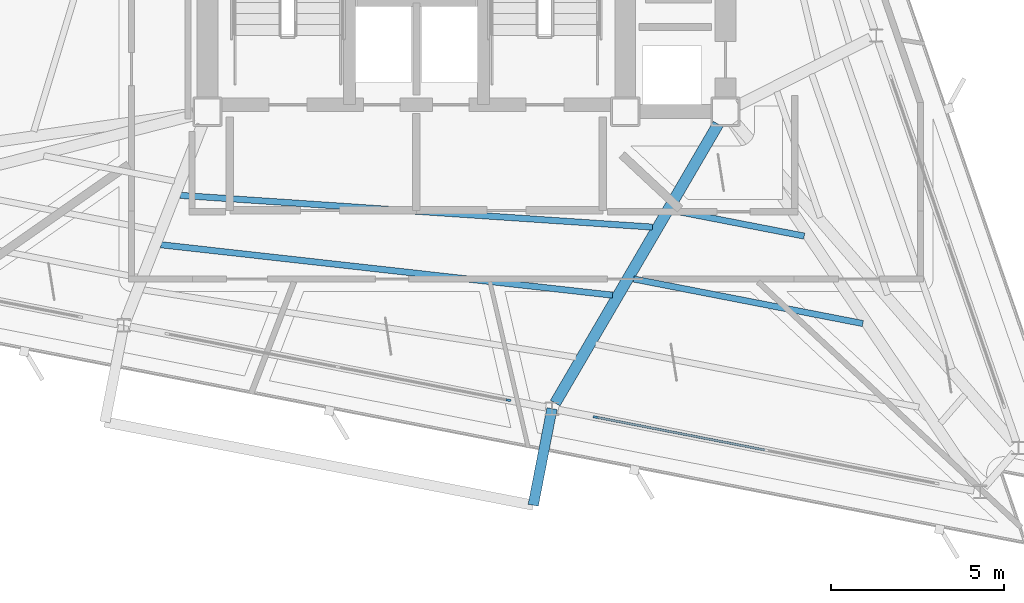
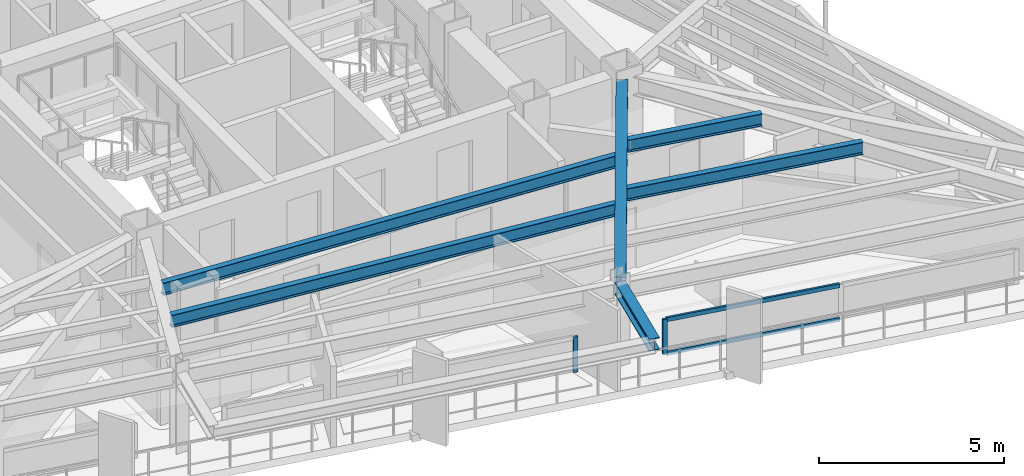
# One storey, part 3 of 14: 6 beams, 4 members, 2 elements without a shape of their own.
"""IFC4 building model written with IfcOpenShell, lengths in metres."""

import ifcopenshell
import ifcopenshell.guid

model = None  # the IFC model being written
_history = None  # IfcOwnerHistory: only IFC2X3 demands one
_inside = {}  # id of a spatial element -> (the spatial element, [elements in it])
_under = {}  # id of a project, library or spatial element -> (it, [spatial elements below it])
_declared = {}  # id of a project -> (the project, [libraries it declares])
_typed = {}  # id of a type object -> (the type object, [elements of that type])
_made_of = {}  # id of a material, layer set ... -> (it, [elements and type objects made of it])


def new_model(schema):
    """Start an empty IFC model of exactly this schema.

    Asked for "IFC4X3", IfcOpenShell would pick the latest addendum, in which some entities
    have other attributes; the version numbers below select the first issue.
    IFC2X3 requires an IfcOwnerHistory on every rooted entity: one is made here for all.
    """
    global model, _history
    if schema == "IFC4X3":
        model = ifcopenshell.file(schema_version=(4, 3, 0, 0))
    else:
        model = ifcopenshell.file(schema=schema)
    _inside.clear()
    _under.clear()
    _declared.clear()
    _typed.clear()
    _made_of.clear()
    _history = None
    if model.schema == "IFC2X3":
        org = make("IfcOrganization", Name="unknown")
        user = make(
            "IfcPersonAndOrganization",
            ThePerson=make("IfcPerson", FamilyName="unknown"),
            TheOrganization=org,
        )
        app = make(
            "IfcApplication",
            ApplicationDeveloper=org,
            Version="unknown",
            ApplicationFullName="unknown",
            ApplicationIdentifier="unknown",
        )
        _history = make(
            "IfcOwnerHistory",
            OwningUser=user,
            OwningApplication=app,
            ChangeAction="ADDED",
            CreationDate=0,
        )
    return model


def make(cls, **values):
    """One entity of the class cls with the attributes given. An attribute that is None is left unset."""
    return model.create_entity(
        cls, **{name: value for name, value in values.items() if value is not None}
    )


def rooted(cls, **values):
    """An entity with a GlobalId (a new one), such as an element, a storey or a relation."""
    return make(cls, GlobalId=ifcopenshell.guid.new(), OwnerHistory=_history, **values)


def si_unit(unit_type, name, prefix=None):
    """IfcSIUnit, for example si_unit("LENGTHUNIT", "METRE", prefix="MILLI")."""
    return make("IfcSIUnit", UnitType=unit_type, Prefix=prefix, Name=name)


def assignment(units):
    """IfcUnitAssignment: the units of a project."""
    return None if units is None else make("IfcUnitAssignment", Units=units)


def point(xyz):
    """IfcCartesianPoint."""
    return None if xyz is None else make("IfcCartesianPoint", Coordinates=xyz)


def direction(xyz):
    """IfcDirection."""
    return None if xyz is None else make("IfcDirection", DirectionRatios=xyz)


def frame(location, z_axis=None, x_axis=None):
    """IfcAxis2Placement3D, a coordinate frame: its origin and axes. An axis left out is left unset."""
    return make(
        "IfcAxis2Placement3D",
        Location=point(location),
        Axis=direction(z_axis),
        RefDirection=direction(x_axis),
    )


def frame_2d(location, x_axis=None):
    """IfcAxis2Placement2D, a coordinate frame in the plane: its origin and x axis."""
    return make(
        "IfcAxis2Placement2D", Location=point(location), RefDirection=direction(x_axis)
    )


def origin():
    """The frame at (0, 0, 0) with its axes left unset."""
    return frame((0.0, 0.0, 0.0))


def origin_2d():
    """The frame at (0, 0) in the plane with its x axis left unset."""
    return frame_2d((0.0, 0.0))


def place(relative_to, where):
    """IfcLocalPlacement: puts the frame where relative to a parent placement (None: the world)."""
    return make(
        "IfcLocalPlacement", PlacementRelTo=relative_to, RelativePlacement=where
    )


def context(
    kind, dimensions, precision=None, world=None, true_north=None, identifier=None
):
    """IfcGeometricRepresentationContext, for example the 3D "Model" context."""
    return make(
        "IfcGeometricRepresentationContext",
        ContextIdentifier=identifier,
        ContextType=kind,
        CoordinateSpaceDimension=dimensions,
        Precision=precision,
        WorldCoordinateSystem=world,
        TrueNorth=true_north,
    )


def subcontext(parent, identifier, kind, view, scale=None):
    """IfcGeometricRepresentationSubContext, for example "Body" below "Model"."""
    return make(
        "IfcGeometricRepresentationSubContext",
        ContextIdentifier=identifier,
        ContextType=kind,
        ParentContext=parent,
        TargetScale=scale,
        TargetView=view,
    )


def project(units=None, contexts=None):
    """IfcProject with its units and contexts."""
    return rooted(
        "IfcProject",
        Name="project",
        RepresentationContexts=contexts,
        UnitsInContext=assignment(units),
    )


def spatial(cls, under=None, at=None, **own):
    """A site, building, storey or space (cls), placed at a placement, below another one or the project."""
    s = rooted(cls, ObjectPlacement=at, **own)
    if under is not None:
        _under.setdefault(under.id(), (under, []))[1].append(s)
    return s


def profile(cls, at=None, kind="AREA", **sizes):
    """A parametric profile (cls). Its sizes go by their IFC names, for example OverallWidth=200.0."""
    return make(cls, ProfileType=kind, Position=at, **sizes)


def rectangle(**sizes):
    """IfcRectangleProfileDef."""
    return profile("IfcRectangleProfileDef", **sizes)


def i_section(**sizes):
    """IfcIShapeProfileDef."""
    return profile("IfcIShapeProfileDef", **sizes)


def extrude(swept, where, along, depth):
    """IfcExtrudedAreaSolid: the profile swept, set in the frame where, extruded along a direction by depth."""
    return make(
        "IfcExtrudedAreaSolid",
        SweptArea=swept,
        Position=where,
        ExtrudedDirection=direction(along),
        Depth=depth,
    )


def shape(context_of_items, identifier, shape_type, items):
    """IfcShapeRepresentation: the items that make up one representation, for example the "Body"."""
    return make(
        "IfcShapeRepresentation",
        ContextOfItems=context_of_items,
        RepresentationIdentifier=identifier,
        RepresentationType=shape_type,
        Items=items,
    )


def material(Name=None, Category=None):
    """IfcMaterial."""
    return make("IfcMaterial", Name=Name, Category=Category)


def layer(
    of_material, thickness, ventilated=None, Name=None, Category=None, Priority=None
):
    """IfcMaterialLayer: one layer of a wall or slab, of a material (None: an air gap)."""
    return make(
        "IfcMaterialLayer",
        Material=of_material,
        LayerThickness=thickness,
        IsVentilated=ventilated,
        Name=Name,
        Category=Category,
        Priority=Priority,
    )


def layer_set(layers, Name=None):
    """IfcMaterialLayerSet."""
    return make("IfcMaterialLayerSet", MaterialLayers=layers, LayerSetName=Name)


def material_profile(
    of_material, cross_section, Name=None, Category=None, Priority=None
):
    """IfcMaterialProfile: a cross section and its material."""
    return make(
        "IfcMaterialProfile",
        Name=Name,
        Material=of_material,
        Profile=cross_section,
        Priority=Priority,
        Category=Category,
    )


def profile_set(profiles, Name=None, composite=None):
    """IfcMaterialProfileSet."""
    return make(
        "IfcMaterialProfileSet",
        Name=Name,
        MaterialProfiles=profiles,
        CompositeProfile=composite,
    )


def made_of(thing, what):
    """Note that an element or type object is made of a material, layer set ...; save() writes the relation."""
    if what is not None:
        _made_of.setdefault(what.id(), (what, []))[1].append(thing)
    return thing


def type_object(cls, material=None, **own):
    """A type object (cls), such as IfcWallType, which elements share."""
    return made_of(rooted(cls, **own), material)


def element(
    cls,
    number,
    at=None,
    inside=None,
    cuts=None,
    type_object=None,
    material=None,
    context=None,
    identifier="Body",
    shape_type=None,
    held_by="IfcProductDefinitionShape",
    body=None,
    shapes=None,
    **own,
):
    """One element of the class cls, such as IfcWall. Its Tag is "e" and its number.

    at: its placement. inside: the storey or other place that contains it. cuts: it is an
    opening in that element (IfcRelVoidsElement). A single representation is given by context,
    identifier, shape_type and body (its items); several are given by shapes. held_by: the class
    of the entity that holds the representations. save() writes the other relations.
    """
    e = rooted(cls, Tag="e%d" % number, ObjectPlacement=at, **own)
    if body is not None:
        shapes = [shape(context, identifier, shape_type, body)]
    if shapes is not None:
        e.Representation = make(held_by, Representations=shapes)
    if inside is not None:
        _inside.setdefault(inside.id(), (inside, []))[1].append(e)
    if cuts is not None:
        rooted(
            "IfcRelVoidsElement", RelatingBuildingElement=cuts, RelatedOpeningElement=e
        )
    if type_object is not None:
        _typed.setdefault(type_object.id(), (type_object, []))[1].append(e)
    return made_of(e, material)


def aggregate(whole, parts):
    """IfcRelAggregates: a whole, such as a stair, and the parts it consists of."""
    return rooted("IfcRelAggregates", RelatingObject=whole, RelatedObjects=parts)


def save(model, path):
    """Write the relations noted so far, then the file.

    IfcRelAggregates (storeys below a building ...), IfcRelContainedInSpatialStructure (elements
    in a storey), IfcRelDefinesByType, IfcRelAssociatesMaterial and IfcRelDeclares: one each for
    every whole, place, type object, material and project.
    """
    for whole, parts in _under.values():
        aggregate(whole, parts)
    for where, things in _inside.values():
        rooted(
            "IfcRelContainedInSpatialStructure",
            RelatedElements=things,
            RelatingStructure=where,
        )
    for kind, things in _typed.values():
        rooted("IfcRelDefinesByType", RelatedObjects=things, RelatingType=kind)
    for what, things in _made_of.values():
        rooted("IfcRelAssociatesMaterial", RelatedObjects=things, RelatingMaterial=what)
    for by, libraries in _declared.values():
        rooted("IfcRelDeclares", RelatingContext=by, RelatedDefinitions=libraries)
    model.write(path)


model = new_model("IFC4")

# Units and contexts
model_context = context("Model", 3, precision=1e-05, world=origin(), true_north=direction((0.0, 1.0)))
body_context = subcontext(model_context, "Body", "Model", "MODEL_VIEW")
ifc_project = project(units=[si_unit("LENGTHUNIT", "METRE"), si_unit("AREAUNIT", "SQUARE_METRE"), si_unit("VOLUMEUNIT", "CUBIC_METRE"), si_unit("PLANEANGLEUNIT", "RADIAN"), si_unit("MASSUNIT", "GRAM", prefix="KILO")], contexts=[model_context])

# Site, building, storey
site_placement = place(None, origin())
site = spatial("IfcSite", under=ifc_project, at=site_placement, CompositionType="ELEMENT")
building_placement = place(site_placement, origin())
building = spatial("IfcBuilding", under=site, at=building_placement, Name="Rocaltana Carrier Exchange", CompositionType="ELEMENT")
storey_placement = place(building_placement, frame((0.0, 0.0, 168.47998046875)))
storey = spatial("IfcBuildingStorey", under=building, at=storey_placement, Name="L53", CompositionType="ELEMENT", Elevation=168.47998046875)

# Curtain wall, member
ifc_material_1 = material(Name="Aluminium 6063-T6", Category="aluminium")
ifc_layer = layer(ifc_material_1, 0.135009765625)
ifc_layer_set = layer_set([ifc_layer], Name="Aluminium 6063-T6")
curtain_wall_type = type_object("IfcCurtainWallType", Name="Upper-Mid Acoustic Curtain Wall CW-04", PredefinedType="NOTDEFINED", material=ifc_layer_set)
curtain_wall_1_placement = place(storey_placement, origin())
curtain_wall_1 = element("IfcCurtainWall", 1, at=curtain_wall_1_placement, inside=storey, type_object=curtain_wall_type, Name="L53 CW-04 Run CW-L53-F3S2", PredefinedType="NOTDEFINED")
ifc_material_2 = material(Name="Aluminium 6063-T6", Category="aluminium")
ifc_material_profile_1 = material_profile(ifc_material_2, rectangle(XDim=0.06494140625, YDim=0.135009765625, at=origin_2d()), Name="AL-65X135")
ifc_profile_set_1 = profile_set([ifc_material_profile_1], Name="Aluminium 6063-T6")
member_type_1 = type_object("IfcMemberType", Name="CW-04 Mullion AL-65X135", PredefinedType="MULLION", material=ifc_profile_set_1)
member_1_placement = place(storey_placement, frame((2.66845703125, -12.6552734375, 0.0), z_axis=(0.0, 0.0, 1.0), x_axis=(0.190814718784, 0.981626070913, 0.0)))
member_1 = element("IfcMember", 2, at=member_1_placement, type_object=member_type_1, Name="CW-04 mullion 3", PredefinedType="MULLION", context=body_context, shape_type="SweptSolid", body=[
    extrude(rectangle(XDim=0.06494140625, YDim=0.135009765625, at=origin_2d()), origin(), (0.0, 0.0, 1.0), 1.177978515625),
])
aggregate(curtain_wall_1, [member_1])

# Curtain wall, members
curtain_wall_2_placement = place(storey_placement, origin())
curtain_wall_2 = element("IfcCurtainWall", 3, at=curtain_wall_2_placement, inside=storey, type_object=curtain_wall_type, Name="L53 CW-04 Run CW-L53-F3S3", PredefinedType="NOTDEFINED")
member_2_placement = place(storey_placement, frame((5.186279296875, -13.144775390625, 0.0), z_axis=(0.0, 0.0, 1.0), x_axis=(0.190805209699, 0.981627919301, 0.0)))
member_2 = element("IfcMember", 4, at=member_2_placement, type_object=member_type_1, Name="CW-04 mullion 1", PredefinedType="MULLION", context=body_context, shape_type="SweptSolid", body=[
    extrude(rectangle(XDim=0.06494140625, YDim=0.135009765625, at=origin_2d()), origin(), (0.0, 0.0, 1.0), 1.177978515625),
])
ifc_material_3 = material(Name="Aluminium 6063-T6", Category="aluminium")
ifc_material_profile_2 = material_profile(ifc_material_3, rectangle(XDim=0.06494140625, YDim=0.135009765625, at=origin_2d()), Name="AL-65X135")
ifc_profile_set_2 = profile_set([ifc_material_profile_2], Name="Aluminium 6063-T6")
member_type_2 = type_object("IfcMemberType", Name="CW-04 Transom AL-65X135", PredefinedType="USERDEFINED", material=ifc_profile_set_2)
member_3_placement = place(storey_placement, frame((5.21826171875, -13.15087890625, 0.032470703125), z_axis=(0.981624593621, -0.1908223184, 0.0), x_axis=(0.1908223184, 0.981624593621, 0.0)))
member_3 = element("IfcMember", 5, at=member_3_placement, type_object=member_type_2, Name="CW-04 transom 1.1", ObjectType="TRANSOM", PredefinedType="USERDEFINED", context=body_context, shape_type="SweptSolid", body=[
    extrude(rectangle(XDim=0.06494140625, YDim=0.135009765625, at=origin_2d()), origin(), (0.0, 0.0, 1.0), 4.96923828125),
])
member_4_placement = place(storey_placement, frame((5.21826171875, -13.15087890625, 1.1455078125), z_axis=(0.981624593621, -0.1908223184, 0.0), x_axis=(0.1908223184, 0.981624593621, 0.0)))
member_4 = element("IfcMember", 6, at=member_4_placement, type_object=member_type_2, Name="CW-04 transom 1.2", ObjectType="TRANSOM", PredefinedType="USERDEFINED", context=body_context, shape_type="SweptSolid", body=[
    extrude(rectangle(XDim=0.06494140625, YDim=0.135009765625, at=origin_2d()), origin(), (0.0, 0.0, 1.0), 4.96923828125),
])
aggregate(curtain_wall_2, [member_2, member_3, member_4])

# Beams
ifc_material_4 = material(Name="Steel S460", Category="steel")
ifc_material_profile_3 = material_profile(ifc_material_4, i_section(OverallWidth=0.300048828125, OverallDepth=0.39990234375, WebThickness=0.013427734375, FlangeThickness=0.02392578125, FilletRadius=0.027099609375, at=origin_2d()), Name="HEB400")
ifc_profile_set_3 = profile_set([ifc_material_profile_3], Name="Steel S460")
beam_type_1 = type_object("IfcBeamType", Name="Crown Ring Beam HEB400", PredefinedType="BEAM", material=ifc_profile_set_3)
beam_1_placement = place(storey_placement, frame((3.927490234375, -12.89990234375, 2.5), z_axis=(-0.190858194834, -0.981617618762, 0.0), x_axis=(0.981617618762, -0.190858194834, 0.0)))
element("IfcBeam", 7, at=beam_1_placement, inside=storey, type_object=beam_type_1, Name="L54 Sky Garden Terrace Bracket 2", PredefinedType="BEAM", context=body_context, shape_type="SweptSolid", body=[
    extrude(i_section(OverallWidth=0.300048828125, OverallDepth=0.39990234375, WebThickness=0.013427734375, FlangeThickness=0.02392578125, FilletRadius=0.027099609375, at=origin_2d()), origin(), (0.0, 0.0, 1.0), 2.85009765625),
])
ifc_material_5 = material(Name="Steel S355", Category="steel")
ifc_material_profile_4 = material_profile(ifc_material_5, i_section(OverallWidth=0.179931640625, OverallDepth=0.4130859375, WebThickness=0.009765625, FlangeThickness=0.01611328125, FilletRadius=0.012939453125, at=origin_2d()), Name="W16X50")
ifc_profile_set_4 = profile_set([ifc_material_profile_4], Name="Steel S355")
beam_type_2 = type_object("IfcBeamType", Name="Floor Joist W16X50", PredefinedType="JOIST", material=ifc_profile_set_4)
beam_2_placement = place(storey_placement, frame((-6.839599609375, -6.724365234375, 2.511474609375), z_axis=(0.997748594569, -0.067065207337, 0.0), x_axis=(0.067065207337, 0.997748594569, 0.0)))
element("IfcBeam", 8, at=beam_2_placement, inside=storey, type_object=beam_type_2, Name="FJ-L53-10-1", PredefinedType="JOIST", context=body_context, shape_type="SweptSolid", body=[
    extrude(i_section(OverallWidth=0.179931640625, OverallDepth=0.4130859375, WebThickness=0.009765625, FlangeThickness=0.01611328125, FilletRadius=0.012939453125, at=origin_2d()), origin(), (0.0, 0.0, 1.0), 13.705810546875),
])
beam_3_placement = place(storey_placement, frame((-7.397705078125, -8.15478515625, 2.511474609375), z_axis=(0.993827043541, -0.110940558529, 0.0), x_axis=(0.110940558529, 0.993827043541, 0.0)))
element("IfcBeam", 9, at=beam_3_placement, inside=storey, type_object=beam_type_2, Name="FJ-L53-10-2", PredefinedType="JOIST", context=body_context, shape_type="SweptSolid", body=[
    extrude(i_section(OverallWidth=0.179931640625, OverallDepth=0.4130859375, WebThickness=0.009765625, FlangeThickness=0.01611328125, FilletRadius=0.012939453125, at=origin_2d()), origin(), (0.0, 0.0, 1.0), 13.159912109375),
])
beam_4_placement = place(storey_placement, frame((7.44580078125, -7.167724609375, 2.511474609375), z_axis=(0.981618354608, -0.190854410211, 0.0), x_axis=(0.190854410211, 0.981618354608, 0.0)))
element("IfcBeam", 10, at=beam_4_placement, inside=storey, type_object=beam_type_2, Name="FJ-L53-11-1", PredefinedType="JOIST", context=body_context, shape_type="SweptSolid", body=[
    extrude(i_section(OverallWidth=0.179931640625, OverallDepth=0.4130859375, WebThickness=0.009765625, FlangeThickness=0.01611328125, FilletRadius=0.012939453125, at=origin_2d()), origin(), (0.0, 0.0, 1.0), 3.856689453125),
])
beam_5_placement = place(storey_placement, frame((6.29052734375, -9.145751953125, 2.511474609375), z_axis=(0.981629854201, -0.190795255028, 0.0), x_axis=(0.190795255028, 0.981629854201, 0.0)))
element("IfcBeam", 11, at=beam_5_placement, inside=storey, type_object=beam_type_2, Name="FJ-L53-11-2", PredefinedType="JOIST", context=body_context, shape_type="SweptSolid", body=[
    extrude(i_section(OverallWidth=0.179931640625, OverallDepth=0.4130859375, WebThickness=0.009765625, FlangeThickness=0.01611328125, FilletRadius=0.012939453125, at=origin_2d()), origin(), (0.0, 0.0, 1.0), 6.7626953125),
])
ifc_material_6 = material(Name="Steel S355", Category="steel")
ifc_material_profile_5 = material_profile(ifc_material_6, i_section(OverallWidth=0.323974609375, OverallDepth=0.611083984375, WebThickness=0.0126953125, FlangeThickness=0.01904296875, FilletRadius=0.01611328125, at=origin_2d()), Name="W24X104")
ifc_profile_set_5 = profile_set([ifc_material_profile_5], Name="Steel S355")
beam_type_3 = type_object("IfcBeamType", Name="Radial Girder W24X104", PredefinedType="BEAM", material=ifc_profile_set_5)
beam_6_placement = place(storey_placement, frame((8.73974609375, -4.66015625, 2.41259765625), z_axis=(-0.504321970508, -0.863515691845, 0.0), x_axis=(0.863515691845, -0.504321970508, 0.0)))
element("IfcBeam", 12, at=beam_6_placement, inside=storey, type_object=beam_type_3, Name="RG-L53-11", PredefinedType="BEAM", context=body_context, shape_type="SweptSolid", body=[
    extrude(i_section(OverallWidth=0.323974609375, OverallDepth=0.611083984375, WebThickness=0.0126953125, FlangeThickness=0.01904296875, FilletRadius=0.01611328125, at=origin_2d()), origin(), (0.0, 0.0, 1.0), 9.356689453125),
])

save(model, "model.ifc")
